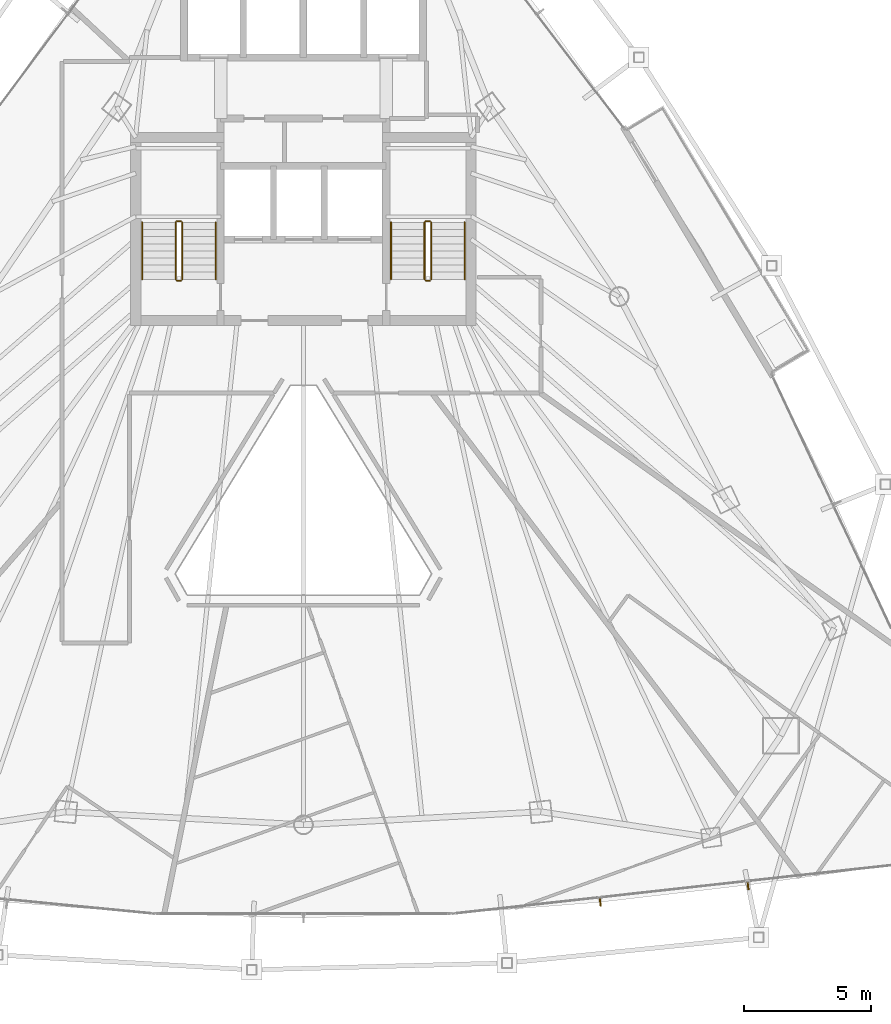
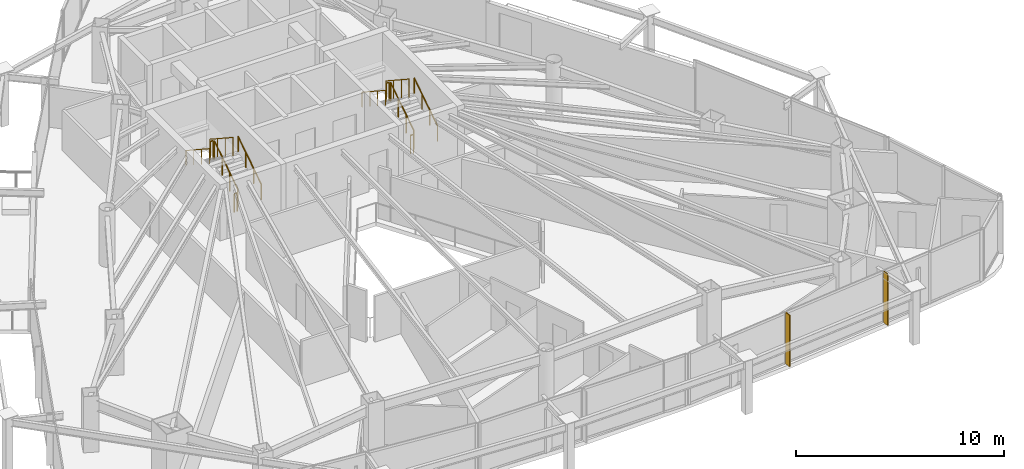
# One storey, part 29 of 30: 12 railings, 2 shading devices.
"""IFC4 building model written with IfcOpenShell, lengths in metres."""

from ifc_helpers import new_model, si_unit, direction, frame, origin, origin_2d, place, context, subcontext, project, spatial, rectangle, circle, extrude, material, layer, layer_set, type_object, element, save


model = new_model("IFC4")

# Units and contexts
model_context = context("Model", 3, precision=1e-05, world=origin(), true_north=direction((0.0, 1.0)))
body_context = subcontext(model_context, "Body", "Model", "MODEL_VIEW")
ifc_project = project(units=[si_unit("LENGTHUNIT", "METRE"), si_unit("AREAUNIT", "SQUARE_METRE"), si_unit("VOLUMEUNIT", "CUBIC_METRE"), si_unit("PLANEANGLEUNIT", "RADIAN"), si_unit("MASSUNIT", "GRAM", prefix="KILO")], contexts=[model_context])

# Site, building, storey
site_placement = place(None, origin())
site = spatial("IfcSite", under=ifc_project, at=site_placement, CompositionType="ELEMENT")
building_placement = place(site_placement, origin())
building = spatial("IfcBuilding", under=site, at=building_placement, Name="Orvanel Arch Residences", CompositionType="ELEMENT")
storey_placement = place(building_placement, frame((0.0, 0.0, 143.0)))
storey = spatial("IfcBuildingStorey", under=building, at=storey_placement, Name="L40", CompositionType="ELEMENT", Elevation=143.0)

# Shading devices
ifc_material_1 = material(Name="Bronze-anodised aluminium AA6063-T6", Category="aluminium")
ifc_layer = layer(ifc_material_1, 0.054931640625)
ifc_layer_set = layer_set([ifc_layer], Name="Bronze-anodised aluminium AA6063-T6")
shading_device_type = type_object("IfcShadingDeviceType", Name="FIN-BRZ-320", PredefinedType="USERDEFINED", material=ifc_layer_set)
for number, where, z_axis, x_axis, name in (
    (1, (44.68896484375, 3.7958984375, 0.0), (0.0, 0.0, 1.0), (0.109734311091, -0.993960955455, 0.0), "L40 Anodised Bronze Mullion FIN 01"),
    (2, (50.507080078125, 4.43896484375, 0.0), (0.0, 0.0, 1.0), (0.109734311091, -0.993960955455, 0.0), "L40 Anodised Bronze Mullion FIN 02"),
):
    element("IfcShadingDevice", number, at=place(storey_placement, frame(where, z_axis=z_axis, x_axis=x_axis)), inside=storey, type_object=shading_device_type, Name=name, ObjectType="FIN", PredefinedType="USERDEFINED", context=body_context, shape_type="SweptSolid", body=[
        extrude(rectangle(XDim=0.320068359375, YDim=0.054931640625, at=origin_2d()), origin(), (0.0, 0.0, 1.0), 3.02001953125),
    ])

# Railings
ifc_material_2 = material(Name="Structural steel AS/NZS 1163 C350L0 (Grade 350)", Category="steel")
railing_type_1 = type_object("IfcRailingType", Name="RL-STAIR-GUARD", PredefinedType="GUARDRAIL", material=ifc_material_2)
railing_1_placement = place(storey_placement, frame((28.22998046875, 28.320068359375, 0.183349609375)))
element("IfcRailing", 3, at=railing_1_placement, inside=storey, type_object=railing_type_1, Name="L40 ST-1 stair guard 1", PredefinedType="GUARDRAIL", context=body_context, shape_type="SweptSolid", body=[
    extrude(circle(Radius=0.02392578125, at=origin_2d()), frame((0.0, 0.001220703125, 1.076904296875), z_axis=(0.0, 0.836636935527, 0.547757827979), x_axis=(-1.0, 0.0, 0.0)), (0.0, 0.0, 1.0), 2.67431640625),
    extrude(circle(Radius=0.02099609375, at=origin_2d()), origin(), (0.0, 0.0, 1.0), 1.050048828125),
    extrude(circle(Radius=0.02099609375, at=origin_2d()), frame((0.0, 0.74658203125, 0.48876953125)), (0.0, 0.0, 1.0), 1.050048828125),
    extrude(circle(Radius=0.02099609375, at=origin_2d()), frame((0.0, 1.493408203125, 0.977783203125)), (0.0, 0.0, 1.0), 1.050048828125),
    extrude(circle(Radius=0.02099609375, at=origin_2d()), frame((0.0, 2.239990234375, 1.466552734375)), (0.0, 0.0, 1.0), 1.050048828125),
])
railing_2_placement = place(storey_placement, frame((28.179931640625, 30.610107421875, 1.64990234375)))
element("IfcRailing", 4, at=railing_2_placement, inside=storey, type_object=railing_type_1, Name="L40 ST-1 stair guard 2", PredefinedType="GUARDRAIL", context=body_context, shape_type="SweptSolid", body=[
    extrude(circle(Radius=0.02392578125, at=origin_2d()), frame((-0.00146484375, 0.0, 1.076171875), z_axis=(-1.0, 0.0, 0.0), x_axis=(0.0, -1.0, 0.0)), (0.0, 0.0, 1.0), 0.156982421875),
    extrude(circle(Radius=0.02099609375, at=origin_2d()), origin(), (0.0, 0.0, 1.0), 1.050048828125),
    extrude(circle(Radius=0.02099609375, at=origin_2d()), frame((-0.159912109375, 0.0, 0.0)), (0.0, 0.0, 1.0), 1.050048828125),
])
railing_3_placement = place(storey_placement, frame((27.969970703125, 30.56005859375, 1.833251953125)))
element("IfcRailing", 5, at=railing_3_placement, inside=storey, type_object=railing_type_1, Name="L40 ST-1 stair guard 3", PredefinedType="GUARDRAIL", context=body_context, shape_type="SweptSolid", body=[
    extrude(circle(Radius=0.02392578125, at=origin_2d()), frame((0.0, -0.001220703125, 1.076904296875), z_axis=(0.0, -0.836595146698, 0.547821650285), x_axis=(1.0, 0.0, 0.0)), (0.0, 0.0, 1.0), 2.674560546875),
    extrude(circle(Radius=0.02099609375, at=origin_2d()), origin(), (0.0, 0.0, 1.0), 1.050048828125),
    extrude(circle(Radius=0.02099609375, at=origin_2d()), frame((0.0, -0.74658203125, 0.489013671875)), (0.0, 0.0, 1.0), 1.050048828125),
    extrude(circle(Radius=0.02099609375, at=origin_2d()), frame((0.0, -1.493408203125, 0.977783203125)), (0.0, 0.0, 1.0), 1.050048828125),
    extrude(circle(Radius=0.02099609375, at=origin_2d()), frame((0.0, -2.239990234375, 1.466796875)), (0.0, 0.0, 1.0), 1.050048828125),
])
railing_4_placement = place(storey_placement, frame((28.179931640625, 28.27001953125, 0.0)))
element("IfcRailing", 6, at=railing_4_placement, inside=storey, type_object=railing_type_1, Name="L40 ST-1 stair guard 4", PredefinedType="GUARDRAIL", context=body_context, shape_type="SweptSolid", body=[
    extrude(circle(Radius=0.02392578125, at=origin_2d()), frame((-0.00146484375, 0.0, 1.076171875), z_axis=(-1.0, 0.0, 0.0), x_axis=(0.0, -1.0, 0.0)), (0.0, 0.0, 1.0), 0.156982421875),
    extrude(circle(Radius=0.02099609375, at=origin_2d()), origin(), (0.0, 0.0, 1.0), 1.050048828125),
    extrude(circle(Radius=0.02099609375, at=origin_2d()), frame((-0.159912109375, 0.0, 0.0)), (0.0, 0.0, 1.0), 1.050048828125),
])
railing_5_placement = place(storey_placement, frame((38.030029296875, 28.320068359375, 0.183349609375)))
element("IfcRailing", 7, at=railing_5_placement, inside=storey, type_object=railing_type_1, Name="L40 ST-2 stair guard 1", PredefinedType="GUARDRAIL", context=body_context, shape_type="SweptSolid", body=[
    extrude(circle(Radius=0.02392578125, at=origin_2d()), frame((0.0, 0.001220703125, 1.076904296875), z_axis=(0.0, 0.836636935527, 0.547757827979), x_axis=(-1.0, 0.0, 0.0)), (0.0, 0.0, 1.0), 2.67431640625),
    extrude(circle(Radius=0.02099609375, at=origin_2d()), origin(), (0.0, 0.0, 1.0), 1.050048828125),
    extrude(circle(Radius=0.02099609375, at=origin_2d()), frame((0.0, 0.74658203125, 0.48876953125)), (0.0, 0.0, 1.0), 1.050048828125),
    extrude(circle(Radius=0.02099609375, at=origin_2d()), frame((0.0, 1.493408203125, 0.977783203125)), (0.0, 0.0, 1.0), 1.050048828125),
    extrude(circle(Radius=0.02099609375, at=origin_2d()), frame((0.0, 2.239990234375, 1.466552734375)), (0.0, 0.0, 1.0), 1.050048828125),
])
railing_6_placement = place(storey_placement, frame((37.97998046875, 30.610107421875, 1.64990234375)))
element("IfcRailing", 8, at=railing_6_placement, inside=storey, type_object=railing_type_1, Name="L40 ST-2 stair guard 2", PredefinedType="GUARDRAIL", context=body_context, shape_type="SweptSolid", body=[
    extrude(circle(Radius=0.02392578125, at=origin_2d()), frame((-0.00146484375, 0.0, 1.076171875), z_axis=(-1.0, 0.0, 0.0), x_axis=(0.0, -1.0, 0.0)), (0.0, 0.0, 1.0), 0.156982421875),
    extrude(circle(Radius=0.02099609375, at=origin_2d()), origin(), (0.0, 0.0, 1.0), 1.050048828125),
    extrude(circle(Radius=0.02099609375, at=origin_2d()), frame((-0.159912109375, 0.0, 0.0)), (0.0, 0.0, 1.0), 1.050048828125),
])
railing_7_placement = place(storey_placement, frame((37.77001953125, 30.56005859375, 1.833251953125)))
element("IfcRailing", 9, at=railing_7_placement, inside=storey, type_object=railing_type_1, Name="L40 ST-2 stair guard 3", PredefinedType="GUARDRAIL", context=body_context, shape_type="SweptSolid", body=[
    extrude(circle(Radius=0.02392578125, at=origin_2d()), frame((0.0, -0.001220703125, 1.076904296875), z_axis=(0.0, -0.836595146698, 0.547821650285), x_axis=(1.0, 0.0, 0.0)), (0.0, 0.0, 1.0), 2.674560546875),
    extrude(circle(Radius=0.02099609375, at=origin_2d()), origin(), (0.0, 0.0, 1.0), 1.050048828125),
    extrude(circle(Radius=0.02099609375, at=origin_2d()), frame((0.0, -0.74658203125, 0.489013671875)), (0.0, 0.0, 1.0), 1.050048828125),
    extrude(circle(Radius=0.02099609375, at=origin_2d()), frame((0.0, -1.493408203125, 0.977783203125)), (0.0, 0.0, 1.0), 1.050048828125),
    extrude(circle(Radius=0.02099609375, at=origin_2d()), frame((0.0, -2.239990234375, 1.466796875)), (0.0, 0.0, 1.0), 1.050048828125),
])
railing_8_placement = place(storey_placement, frame((37.97998046875, 28.27001953125, 0.0)))
element("IfcRailing", 10, at=railing_8_placement, inside=storey, type_object=railing_type_1, Name="L40 ST-2 stair guard 4", PredefinedType="GUARDRAIL", context=body_context, shape_type="SweptSolid", body=[
    extrude(circle(Radius=0.02392578125, at=origin_2d()), frame((-0.00146484375, 0.0, 1.076171875), z_axis=(-1.0, 0.0, 0.0), x_axis=(0.0, -1.0, 0.0)), (0.0, 0.0, 1.0), 0.156982421875),
    extrude(circle(Radius=0.02099609375, at=origin_2d()), origin(), (0.0, 0.0, 1.0), 1.050048828125),
    extrude(circle(Radius=0.02099609375, at=origin_2d()), frame((-0.159912109375, 0.0, 0.0)), (0.0, 0.0, 1.0), 1.050048828125),
])
railing_type_2 = type_object("IfcRailingType", Name="RL-STAIR-HAND", PredefinedType="HANDRAIL", material=ifc_material_2)
railing_9_placement = place(storey_placement, frame((29.550048828125, 28.320068359375, 0.183349609375)))
element("IfcRailing", 11, at=railing_9_placement, inside=storey, type_object=railing_type_2, Name="L40 ST-1 stair handrail 1", PredefinedType="HANDRAIL", context=body_context, shape_type="SweptSolid", body=[
    extrude(circle(Radius=0.02392578125, at=origin_2d()), frame((0.0, 0.001220703125, 0.876708984375), z_axis=(0.0, 0.836636935527, 0.547757827979), x_axis=(-1.0, 0.0, 0.0)), (0.0, 0.0, 1.0), 2.67431640625),
    extrude(circle(Radius=0.02099609375, at=origin_2d()), origin(), (0.0, 0.0, 1.0), 0.849853515625),
    extrude(circle(Radius=0.02099609375, at=origin_2d()), frame((0.0, 0.74658203125, 0.48876953125)), (0.0, 0.0, 1.0), 0.849853515625),
    extrude(circle(Radius=0.02099609375, at=origin_2d()), frame((0.0, 1.493408203125, 0.977783203125)), (0.0, 0.0, 1.0), 0.849853515625),
    extrude(circle(Radius=0.02099609375, at=origin_2d()), frame((0.0, 2.239990234375, 1.466552734375)), (0.0, 0.0, 1.0), 0.849853515625),
])
railing_10_placement = place(storey_placement, frame((26.64990234375, 30.56005859375, 1.833251953125)))
element("IfcRailing", 12, at=railing_10_placement, inside=storey, type_object=railing_type_2, Name="L40 ST-1 stair handrail 2", PredefinedType="HANDRAIL", context=body_context, shape_type="SweptSolid", body=[
    extrude(circle(Radius=0.02392578125, at=origin_2d()), frame((0.0, -0.001220703125, 0.876708984375), z_axis=(0.0, -0.836595146698, 0.547821650285), x_axis=(1.0, 0.0, 0.0)), (0.0, 0.0, 1.0), 2.674560546875),
    extrude(circle(Radius=0.02099609375, at=origin_2d()), origin(), (0.0, 0.0, 1.0), 0.849853515625),
    extrude(circle(Radius=0.02099609375, at=origin_2d()), frame((0.0, -0.74658203125, 0.489013671875)), (0.0, 0.0, 1.0), 0.849853515625),
    extrude(circle(Radius=0.02099609375, at=origin_2d()), frame((0.0, -1.493408203125, 0.977783203125)), (0.0, 0.0, 1.0), 0.849853515625),
    extrude(circle(Radius=0.02099609375, at=origin_2d()), frame((0.0, -2.239990234375, 1.466796875)), (0.0, 0.0, 1.0), 0.849853515625),
])
railing_11_placement = place(storey_placement, frame((39.35009765625, 28.320068359375, 0.183349609375)))
element("IfcRailing", 13, at=railing_11_placement, inside=storey, type_object=railing_type_2, Name="L40 ST-2 stair handrail 1", PredefinedType="HANDRAIL", context=body_context, shape_type="SweptSolid", body=[
    extrude(circle(Radius=0.02392578125, at=origin_2d()), frame((0.0, 0.001220703125, 0.876708984375), z_axis=(0.0, 0.836636935527, 0.547757827979), x_axis=(-1.0, 0.0, 0.0)), (0.0, 0.0, 1.0), 2.67431640625),
    extrude(circle(Radius=0.02099609375, at=origin_2d()), origin(), (0.0, 0.0, 1.0), 0.849853515625),
    extrude(circle(Radius=0.02099609375, at=origin_2d()), frame((0.0, 0.74658203125, 0.48876953125)), (0.0, 0.0, 1.0), 0.849853515625),
    extrude(circle(Radius=0.02099609375, at=origin_2d()), frame((0.0, 1.493408203125, 0.977783203125)), (0.0, 0.0, 1.0), 0.849853515625),
    extrude(circle(Radius=0.02099609375, at=origin_2d()), frame((0.0, 2.239990234375, 1.466552734375)), (0.0, 0.0, 1.0), 0.849853515625),
])
railing_12_placement = place(storey_placement, frame((36.449951171875, 30.56005859375, 1.833251953125)))
element("IfcRailing", 14, at=railing_12_placement, inside=storey, type_object=railing_type_2, Name="L40 ST-2 stair handrail 2", PredefinedType="HANDRAIL", context=body_context, shape_type="SweptSolid", body=[
    extrude(circle(Radius=0.02392578125, at=origin_2d()), frame((0.0, -0.001220703125, 0.876708984375), z_axis=(0.0, -0.836595146698, 0.547821650285), x_axis=(1.0, 0.0, 0.0)), (0.0, 0.0, 1.0), 2.674560546875),
    extrude(circle(Radius=0.02099609375, at=origin_2d()), origin(), (0.0, 0.0, 1.0), 0.849853515625),
    extrude(circle(Radius=0.02099609375, at=origin_2d()), frame((0.0, -0.74658203125, 0.489013671875)), (0.0, 0.0, 1.0), 0.849853515625),
    extrude(circle(Radius=0.02099609375, at=origin_2d()), frame((0.0, -1.493408203125, 0.977783203125)), (0.0, 0.0, 1.0), 0.849853515625),
    extrude(circle(Radius=0.02099609375, at=origin_2d()), frame((0.0, -2.239990234375, 1.466796875)), (0.0, 0.0, 1.0), 0.849853515625),
])

save(model, "model.ifc")
